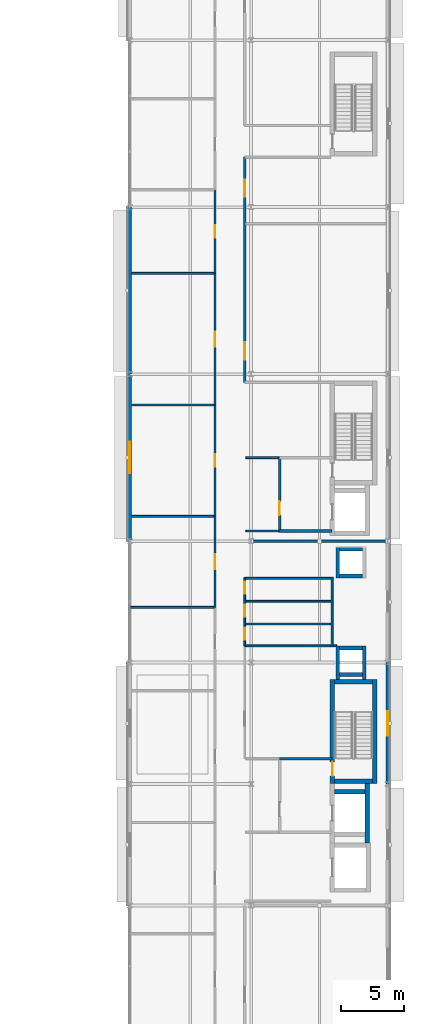
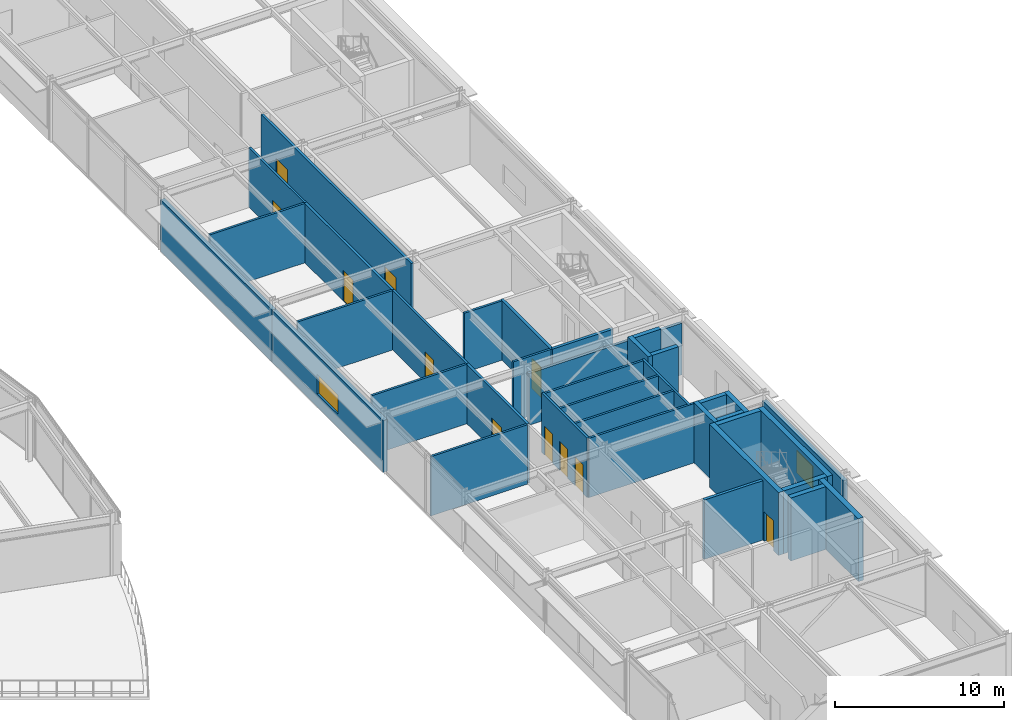
# One storey, part 89 of 116: 37 walls, 11 doors, 2 windows, 13 openings.
"""IFC4 building model written with IfcOpenShell, lengths in metres."""

import ifcopenshell
import ifcopenshell.guid

model = None  # the IFC model being written
_history = None  # IfcOwnerHistory: only IFC2X3 demands one
_inside = {}  # id of a spatial element -> (the spatial element, [elements in it])
_under = {}  # id of a project, library or spatial element -> (it, [spatial elements below it])
_declared = {}  # id of a project -> (the project, [libraries it declares])
_typed = {}  # id of a type object -> (the type object, [elements of that type])
_made_of = {}  # id of a material, layer set ... -> (it, [elements and type objects made of it])


def new_model(schema):
    """Start an empty IFC model of exactly this schema.

    Asked for "IFC4X3", IfcOpenShell would pick the latest addendum, in which some entities
    have other attributes; the version numbers below select the first issue.
    IFC2X3 requires an IfcOwnerHistory on every rooted entity: one is made here for all.
    """
    global model, _history
    if schema == "IFC4X3":
        model = ifcopenshell.file(schema_version=(4, 3, 0, 0))
    else:
        model = ifcopenshell.file(schema=schema)
    _inside.clear()
    _under.clear()
    _declared.clear()
    _typed.clear()
    _made_of.clear()
    _history = None
    if model.schema == "IFC2X3":
        org = make("IfcOrganization", Name="unknown")
        user = make(
            "IfcPersonAndOrganization",
            ThePerson=make("IfcPerson", FamilyName="unknown"),
            TheOrganization=org,
        )
        app = make(
            "IfcApplication",
            ApplicationDeveloper=org,
            Version="unknown",
            ApplicationFullName="unknown",
            ApplicationIdentifier="unknown",
        )
        _history = make(
            "IfcOwnerHistory",
            OwningUser=user,
            OwningApplication=app,
            ChangeAction="ADDED",
            CreationDate=0,
        )
    return model


def make(cls, **values):
    """One entity of the class cls with the attributes given. An attribute that is None is left unset."""
    return model.create_entity(
        cls, **{name: value for name, value in values.items() if value is not None}
    )


def rooted(cls, **values):
    """An entity with a GlobalId (a new one), such as an element, a storey or a relation."""
    return make(cls, GlobalId=ifcopenshell.guid.new(), OwnerHistory=_history, **values)


def si_unit(unit_type, name, prefix=None):
    """IfcSIUnit, for example si_unit("LENGTHUNIT", "METRE", prefix="MILLI")."""
    return make("IfcSIUnit", UnitType=unit_type, Prefix=prefix, Name=name)


def assignment(units):
    """IfcUnitAssignment: the units of a project."""
    return None if units is None else make("IfcUnitAssignment", Units=units)


def point(xyz):
    """IfcCartesianPoint."""
    return None if xyz is None else make("IfcCartesianPoint", Coordinates=xyz)


def direction(xyz):
    """IfcDirection."""
    return None if xyz is None else make("IfcDirection", DirectionRatios=xyz)


def frame(location, z_axis=None, x_axis=None):
    """IfcAxis2Placement3D, a coordinate frame: its origin and axes. An axis left out is left unset."""
    return make(
        "IfcAxis2Placement3D",
        Location=point(location),
        Axis=direction(z_axis),
        RefDirection=direction(x_axis),
    )


def frame_2d(location, x_axis=None):
    """IfcAxis2Placement2D, a coordinate frame in the plane: its origin and x axis."""
    return make(
        "IfcAxis2Placement2D", Location=point(location), RefDirection=direction(x_axis)
    )


def origin():
    """The frame at (0, 0, 0) with its axes left unset."""
    return frame((0.0, 0.0, 0.0))


def place(relative_to, where):
    """IfcLocalPlacement: puts the frame where relative to a parent placement (None: the world)."""
    return make(
        "IfcLocalPlacement", PlacementRelTo=relative_to, RelativePlacement=where
    )


def context(
    kind, dimensions, precision=None, world=None, true_north=None, identifier=None
):
    """IfcGeometricRepresentationContext, for example the 3D "Model" context."""
    return make(
        "IfcGeometricRepresentationContext",
        ContextIdentifier=identifier,
        ContextType=kind,
        CoordinateSpaceDimension=dimensions,
        Precision=precision,
        WorldCoordinateSystem=world,
        TrueNorth=true_north,
    )


def subcontext(parent, identifier, kind, view, scale=None):
    """IfcGeometricRepresentationSubContext, for example "Body" below "Model"."""
    return make(
        "IfcGeometricRepresentationSubContext",
        ContextIdentifier=identifier,
        ContextType=kind,
        ParentContext=parent,
        TargetScale=scale,
        TargetView=view,
    )


def project(units=None, contexts=None):
    """IfcProject with its units and contexts."""
    return rooted(
        "IfcProject",
        Name="project",
        RepresentationContexts=contexts,
        UnitsInContext=assignment(units),
    )


def spatial(cls, under=None, at=None, **own):
    """A site, building, storey or space (cls), placed at a placement, below another one or the project."""
    s = rooted(cls, ObjectPlacement=at, **own)
    if under is not None:
        _under.setdefault(under.id(), (under, []))[1].append(s)
    return s


def profile(cls, at=None, kind="AREA", **sizes):
    """A parametric profile (cls). Its sizes go by their IFC names, for example OverallWidth=200.0."""
    return make(cls, ProfileType=kind, Position=at, **sizes)


def rectangle(**sizes):
    """IfcRectangleProfileDef."""
    return profile("IfcRectangleProfileDef", **sizes)


def extrude(swept, where, along, depth):
    """IfcExtrudedAreaSolid: the profile swept, set in the frame where, extruded along a direction by depth."""
    return make(
        "IfcExtrudedAreaSolid",
        SweptArea=swept,
        Position=where,
        ExtrudedDirection=direction(along),
        Depth=depth,
    )


def shape(context_of_items, identifier, shape_type, items):
    """IfcShapeRepresentation: the items that make up one representation, for example the "Body"."""
    return make(
        "IfcShapeRepresentation",
        ContextOfItems=context_of_items,
        RepresentationIdentifier=identifier,
        RepresentationType=shape_type,
        Items=items,
    )


def material(Name=None, Category=None):
    """IfcMaterial."""
    return make("IfcMaterial", Name=Name, Category=Category)


def layer(
    of_material, thickness, ventilated=None, Name=None, Category=None, Priority=None
):
    """IfcMaterialLayer: one layer of a wall or slab, of a material (None: an air gap)."""
    return make(
        "IfcMaterialLayer",
        Material=of_material,
        LayerThickness=thickness,
        IsVentilated=ventilated,
        Name=Name,
        Category=Category,
        Priority=Priority,
    )


def layer_set(layers, Name=None):
    """IfcMaterialLayerSet."""
    return make("IfcMaterialLayerSet", MaterialLayers=layers, LayerSetName=Name)


def made_of(thing, what):
    """Note that an element or type object is made of a material, layer set ...; save() writes the relation."""
    if what is not None:
        _made_of.setdefault(what.id(), (what, []))[1].append(thing)
    return thing


def type_object(cls, material=None, **own):
    """A type object (cls), such as IfcWallType, which elements share."""
    return made_of(rooted(cls, **own), material)


def element(
    cls,
    number,
    at=None,
    inside=None,
    cuts=None,
    type_object=None,
    material=None,
    context=None,
    identifier="Body",
    shape_type=None,
    held_by="IfcProductDefinitionShape",
    body=None,
    shapes=None,
    **own,
):
    """One element of the class cls, such as IfcWall. Its Tag is "e" and its number.

    at: its placement. inside: the storey or other place that contains it. cuts: it is an
    opening in that element (IfcRelVoidsElement). A single representation is given by context,
    identifier, shape_type and body (its items); several are given by shapes. held_by: the class
    of the entity that holds the representations. save() writes the other relations.
    """
    e = rooted(cls, Tag="e%d" % number, ObjectPlacement=at, **own)
    if body is not None:
        shapes = [shape(context, identifier, shape_type, body)]
    if shapes is not None:
        e.Representation = make(held_by, Representations=shapes)
    if inside is not None:
        _inside.setdefault(inside.id(), (inside, []))[1].append(e)
    if cuts is not None:
        rooted(
            "IfcRelVoidsElement", RelatingBuildingElement=cuts, RelatedOpeningElement=e
        )
    if type_object is not None:
        _typed.setdefault(type_object.id(), (type_object, []))[1].append(e)
    return made_of(e, material)


def fill(opening, filler):
    """IfcRelFillsElement: the door or window that sits in an opening."""
    return rooted(
        "IfcRelFillsElement",
        RelatingOpeningElement=opening,
        RelatedBuildingElement=filler,
    )


def aggregate(whole, parts):
    """IfcRelAggregates: a whole, such as a stair, and the parts it consists of."""
    return rooted("IfcRelAggregates", RelatingObject=whole, RelatedObjects=parts)


def save(model, path):
    """Write the relations noted so far, then the file.

    IfcRelAggregates (storeys below a building ...), IfcRelContainedInSpatialStructure (elements
    in a storey), IfcRelDefinesByType, IfcRelAssociatesMaterial and IfcRelDeclares: one each for
    every whole, place, type object, material and project.
    """
    for whole, parts in _under.values():
        aggregate(whole, parts)
    for where, things in _inside.values():
        rooted(
            "IfcRelContainedInSpatialStructure",
            RelatedElements=things,
            RelatingStructure=where,
        )
    for kind, things in _typed.values():
        rooted("IfcRelDefinesByType", RelatedObjects=things, RelatingType=kind)
    for what, things in _made_of.values():
        rooted("IfcRelAssociatesMaterial", RelatedObjects=things, RelatingMaterial=what)
    for by, libraries in _declared.values():
        rooted("IfcRelDeclares", RelatingContext=by, RelatedDefinitions=libraries)
    model.write(path)


model = new_model("IFC4")

# Units and contexts
model_context = context("Model", 3, precision=1e-05, world=origin(), true_north=direction((0.0, 1.0)))
body_context = subcontext(model_context, "Body", "Model", "MODEL_VIEW")
ifc_project = project(units=[si_unit("LENGTHUNIT", "METRE"), si_unit("AREAUNIT", "SQUARE_METRE"), si_unit("VOLUMEUNIT", "CUBIC_METRE"), si_unit("PLANEANGLEUNIT", "RADIAN"), si_unit("MASSUNIT", "GRAM", prefix="KILO")], contexts=[model_context])

# Site, building, storey
site_placement = place(None, origin())
site = spatial("IfcSite", under=ifc_project, at=site_placement, CompositionType="ELEMENT")
building_placement = place(site_placement, origin())
building = spatial("IfcBuilding", under=site, at=building_placement, Name="Almandine Court Research Institute", CompositionType="ELEMENT")
storey_placement = place(building_placement, frame((0.0, 0.0, 14.35009765625)))
storey = spatial("IfcBuildingStorey", under=building, at=storey_placement, Name="L03", CompositionType="ELEMENT", Elevation=14.35009765625)

# Wall, opening, window
ifc_material_1 = material(Name="Insulated Ochre Terracotta Rainscreen Wall", Category="masonry")
ifc_layer_1 = layer(ifc_material_1, 0.2900390625)
ifc_layer_set_1 = layer_set([ifc_layer_1], Name="Insulated Ochre Terracotta Rainscreen Wall")
wall_type_1 = type_object("IfcWallType", Name="Wall-EXT-TERR-290", PredefinedType="SOLIDWALL", material=ifc_layer_set_1)
wall_1_placement = place(storey_placement, frame((153.60009765625, 44.404052734375, 0.0), z_axis=(0.0, 0.0, 1.0), x_axis=(0.0, 1.0, 0.0)))
wall_1 = element("IfcWall", 1, at=wall_1_placement, inside=storey, type_object=wall_type_1, Name="L03 Wet Lab West Facade Wall 5", PredefinedType="SOLIDWALL", context=body_context, shape_type="SweptSolid", body=[
    extrude(rectangle(XDim=13.19189453125, YDim=0.2900390625, at=frame_2d((6.595947265625, 0.0))), origin(), (0.0, 0.0, 1.0), 3.741943359375),
])
opening_1_placement = place(wall_1_placement, frame((5.35595703125, 0.0, 0.949951171875)))
opening_1 = element("IfcOpeningElement", 2, at=opening_1_placement, cuts=wall_1, Name="Opening WN-79", PredefinedType="OPENING", context=body_context, shape_type="SweptSolid", body=[
    extrude(rectangle(XDim=2.47998046875, YDim=1.39990234375, at=frame_2d((1.239990234375, 0.699951171875))), frame((0.0, 0.155029296875, 0.0), z_axis=(0.0, -1.0, 0.0), x_axis=(1.0, 0.0, 0.0)), (0.0, 0.0, 1.0), 0.31005859375),
])
ifc_material_2 = material(Name="Thermally Broken Low-E Double-Glazed Window", Category="glass")
window_type_1 = type_object("IfcWindowType", Name="Win-WN-79-2480x1400", PartitioningType="SINGLE_PANEL", PredefinedType="WINDOW", material=ifc_material_2)
window_1_placement = place(opening_1_placement, origin())
window_1 = element("IfcWindow", 3, at=window_1_placement, inside=storey, type_object=window_type_1, Name="L03 Modular Recessed Low-E Window 116", OverallHeight=1.39990234375, OverallWidth=2.47998046875, PartitioningType="SINGLE_PANEL", PredefinedType="WINDOW", context=body_context, shape_type="SweptSolid", body=[
    extrude(rectangle(XDim=2.47998046875, YDim=1.39990234375, at=frame_2d((1.239990234375, 0.699951171875))), frame((0.0, 0.030029296875, 0.0), z_axis=(0.0, -1.0, 0.0), x_axis=(1.0, 0.0, 0.0)), (0.0, 0.0, 1.0), 0.06005859375),
])
fill(opening_1, window_1)

# Wall
wall_2_placement = place(storey_placement, frame((153.60009765625, 57.60400390625, 0.0), z_axis=(0.0, 0.0, 1.0), x_axis=(0.0, 1.0, 0.0)))
element("IfcWall", 4, at=wall_2_placement, inside=storey, type_object=wall_type_1, Name="L03 Wet Lab West Facade Wall 6", PredefinedType="SOLIDWALL", context=body_context, shape_type="SweptSolid", body=[
    extrude(rectangle(XDim=13.19189453125, YDim=0.2900390625, at=frame_2d((6.595947265625, 0.0))), origin(), (0.0, 0.0, 1.0), 3.741943359375),
])

# Wall, opening, window
wall_3_placement = place(storey_placement, frame((174.0, 34.7958984375, 0.0), z_axis=(0.0, 0.0, 1.0), x_axis=(0.0, -1.0, 0.0)))
wall_3 = element("IfcWall", 5, at=wall_3_placement, inside=storey, type_object=wall_type_1, Name="L03 Wet Lab East Facade Wall 3", PredefinedType="SOLIDWALL", context=body_context, shape_type="SweptSolid", body=[
    extrude(rectangle(XDim=9.591796875, YDim=0.2900390625, at=frame_2d((4.7958984375, 0.0))), origin(), (0.0, 0.0, 1.0), 3.8837890625),
])
opening_2_placement = place(wall_3_placement, frame((3.8310546875, 0.0, 0.949951171875)))
opening_2 = element("IfcOpeningElement", 6, at=opening_2_placement, cuts=wall_3, Name="Opening WN-63", PredefinedType="OPENING", context=body_context, shape_type="SweptSolid", body=[
    extrude(rectangle(XDim=1.929931640625, YDim=1.639892578125, at=frame_2d((0.96484375, 0.81982421875))), frame((0.0, 0.155029296875, 0.0), z_axis=(0.0, -1.0, 0.0), x_axis=(1.0, 0.0, 0.0)), (0.0, 0.0, 1.0), 0.31005859375),
])
window_type_2 = type_object("IfcWindowType", Name="Win-WN-63-1930x1640", PartitioningType="SINGLE_PANEL", PredefinedType="WINDOW", material=ifc_material_2)
window_2_placement = place(opening_2_placement, origin())
window_2 = element("IfcWindow", 7, at=window_2_placement, inside=storey, type_object=window_type_2, Name="L03 Modular Recessed Low-E Window 125", OverallHeight=1.639892578125, OverallWidth=1.929931640625, PartitioningType="SINGLE_PANEL", PredefinedType="WINDOW", context=body_context, shape_type="SweptSolid", body=[
    extrude(rectangle(XDim=1.929931640625, YDim=1.639892578125, at=frame_2d((0.96484375, 0.81982421875))), frame((0.0, 0.030029296875, 0.0), z_axis=(0.0, -1.0, 0.0), x_axis=(1.0, 0.0, 0.0)), (0.0, 0.0, 1.0), 0.06005859375),
])
fill(opening_2, window_2)

# Wall, opening, door
ifc_material_3 = material(Name="One-Hour Fire-Rated Laboratory Partition")
ifc_layer_2 = layer(ifc_material_3, 0.175048828125)
ifc_layer_set_2 = layer_set([ifc_layer_2], Name="One-Hour Fire-Rated Laboratory Partition")
wall_type_2 = type_object("IfcWallType", Name="Wall-FIRE-175", PredefinedType="PARTITIONING", material=ifc_layer_set_2)
wall_4_placement = place(storey_placement, frame((160.35009765625, 39.159912109375, 0.0), z_axis=(0.0, 0.0, 1.0), x_axis=(0.0, 1.0, 0.0)))
wall_4 = element("IfcWall", 8, at=wall_4_placement, inside=storey, type_object=wall_type_2, Name="L03 Interior Partition W-V4-L03-WW-4", PredefinedType="PARTITIONING", context=body_context, shape_type="SweptSolid", body=[
    extrude(rectangle(XDim=7.2001953125, YDim=0.175048828125, at=frame_2d((3.60009765625, 0.0))), origin(), (0.0, 0.0, 1.0), 4.2998046875),
])
opening_3_placement = place(wall_4_placement, frame((3.0, 0.0, 0.0)))
opening_3 = element("IfcOpeningElement", 9, at=opening_3_placement, cuts=wall_4, Name="Opening FD-LAB", PredefinedType="OPENING", context=body_context, shape_type="SweptSolid", body=[
    extrude(rectangle(XDim=1.199951171875, YDim=2.199951171875, at=frame_2d((0.60009765625, 1.10009765625))), frame((0.0, 0.097412109375, 0.0), z_axis=(0.0, -1.0, 0.0), x_axis=(1.0, 0.0, 0.0)), (0.0, 0.0, 1.0), 0.195068359375),
])
ifc_material_4 = material(Name="Fire-Rated Laboratory Containment Door")
door_type_1 = type_object("IfcDoorType", Name="Door-FD-LAB-1200", OperationType="NOTDEFINED", PredefinedType="DOOR", material=ifc_material_4)
door_1_placement = place(opening_3_placement, origin())
door_1 = element("IfcDoor", 10, at=door_1_placement, inside=storey, type_object=door_type_1, Name="L03 Wet Chemistry Laboratory Door", OperationType="SINGLE_SWING_LEFT", OverallHeight=2.199951171875, OverallWidth=1.199951171875, PredefinedType="DOOR", context=body_context, shape_type="SweptSolid", body=[
    extrude(rectangle(XDim=1.199951171875, YDim=2.199951171875, at=frame_2d((0.60009765625, 1.10009765625))), frame((0.0, 0.02490234375, 0.0), z_axis=(0.0, -1.0, 0.0), x_axis=(1.0, 0.0, 0.0)), (0.0, 0.0, 1.0), 0.050048828125),
])
fill(opening_3, door_1)

wall_5_placement = place(storey_placement, frame((160.35009765625, 55.159912109375, 0.0), z_axis=(0.0, 0.0, 1.0), x_axis=(0.0, 1.0, 0.0)))
wall_5 = element("IfcWall", 11, at=wall_5_placement, inside=storey, type_object=wall_type_2, Name="L03 Interior Partition W-V4-L03-WW-6", PredefinedType="PARTITIONING", context=body_context, shape_type="SweptSolid", body=[
    extrude(rectangle(XDim=10.400146484375, YDim=0.175048828125, at=frame_2d((5.2001953125, 0.0))), origin(), (0.0, 0.0, 1.0), 4.2998046875),
])
opening_4_placement = place(wall_5_placement, frame((4.60009765625, 0.0, 0.0)))
opening_4 = element("IfcOpeningElement", 12, at=opening_4_placement, cuts=wall_5, Name="Opening FD-LAB", PredefinedType="OPENING", context=body_context, shape_type="SweptSolid", body=[
    extrude(rectangle(XDim=1.199951171875, YDim=2.199951171875, at=frame_2d((0.60009765625, 1.10009765625))), frame((0.0, 0.097412109375, 0.0), z_axis=(0.0, -1.0, 0.0), x_axis=(1.0, 0.0, 0.0)), (0.0, 0.0, 1.0), 0.195068359375),
])
door_2_placement = place(opening_4_placement, origin())
door_2 = element("IfcDoor", 13, at=door_2_placement, inside=storey, type_object=door_type_1, Name="L03 Biosciences BSL-2 Laboratory Door", OperationType="SINGLE_SWING_LEFT", OverallHeight=2.199951171875, OverallWidth=1.199951171875, PredefinedType="DOOR", context=body_context, shape_type="SweptSolid", body=[
    extrude(rectangle(XDim=1.199951171875, YDim=2.199951171875, at=frame_2d((0.60009765625, 1.10009765625))), frame((0.0, 0.02490234375, 0.0), z_axis=(0.0, -1.0, 0.0), x_axis=(1.0, 0.0, 0.0)), (0.0, 0.0, 1.0), 0.050048828125),
])
fill(opening_4, door_2)

# Wall, openings, doors
wall_6_placement = place(storey_placement, frame((162.699951171875, 56.949951171875, 0.0), z_axis=(0.0, 0.0, 1.0), x_axis=(0.0, 1.0, 0.0)))
wall_6 = element("IfcWall", 14, at=wall_6_placement, inside=storey, type_object=wall_type_2, Name="L03 Interior Partition W-V4-L03-EW-N1", PredefinedType="PARTITIONING", context=body_context, shape_type="SweptSolid", body=[
    extrude(rectangle(XDim=17.800048828125, YDim=0.175048828125, at=frame_2d((8.89990234375, 0.0))), origin(), (0.0, 0.0, 1.0), 4.2998046875),
])
opening_5_placement = place(wall_6_placement, frame((1.800048828125, 0.0, 0.0)))
opening_5 = element("IfcOpeningElement", 15, at=opening_5_placement, cuts=wall_6, Name="Opening FD-LB2", PredefinedType="OPENING", context=body_context, shape_type="SweptSolid", body=[
    extrude(rectangle(XDim=1.35009765625, YDim=2.199951171875, at=frame_2d((0.675048828125, 1.10009765625))), frame((0.0, 0.097412109375, 0.0), z_axis=(0.0, -1.0, 0.0), x_axis=(1.0, 0.0, 0.0)), (0.0, 0.0, 1.0), 0.195068359375),
])
opening_6_placement = place(wall_6_placement, frame((14.64990234375, 0.0, 0.0)))
opening_6 = element("IfcOpeningElement", 16, at=opening_6_placement, cuts=wall_6, Name="Opening FD-LB2", PredefinedType="OPENING", context=body_context, shape_type="SweptSolid", body=[
    extrude(rectangle(XDim=1.35009765625, YDim=2.199951171875, at=frame_2d((0.675048828125, 1.10009765625))), frame((0.0, 0.097412109375, 0.0), z_axis=(0.0, -1.0, 0.0), x_axis=(1.0, 0.0, 0.0)), (0.0, 0.0, 1.0), 0.195068359375),
])
ifc_material_5 = material(Name="Wide Fire-Rated Cleanroom and Lab Door")
door_type_2 = type_object("IfcDoorType", Name="Door-FD-LAB-1350", OperationType="NOTDEFINED", PredefinedType="DOOR", material=ifc_material_5)
door_3_placement = place(opening_5_placement, origin())
door_3 = element("IfcDoor", 17, at=door_3_placement, inside=storey, type_object=door_type_2, Name="L03 East Wet Chemistry Lab Door", OperationType="SINGLE_SWING_RIGHT", OverallHeight=2.199951171875, OverallWidth=1.35009765625, PredefinedType="DOOR", context=body_context, shape_type="SweptSolid", body=[
    extrude(rectangle(XDim=1.35009765625, YDim=2.199951171875, at=frame_2d((0.675048828125, 1.10009765625))), frame((0.0, 0.02490234375, 0.0), z_axis=(0.0, -1.0, 0.0), x_axis=(1.0, 0.0, 0.0)), (0.0, 0.0, 1.0), 0.050048828125),
])
fill(opening_5, door_3)
door_4_placement = place(opening_6_placement, origin())
door_4 = element("IfcDoor", 18, at=door_4_placement, inside=storey, type_object=door_type_2, Name="L03 East BSL-2 Lab South Door", OperationType="SINGLE_SWING_LEFT", OverallHeight=2.199951171875, OverallWidth=1.35009765625, PredefinedType="DOOR", context=body_context, shape_type="SweptSolid", body=[
    extrude(rectangle(XDim=1.35009765625, YDim=2.199951171875, at=frame_2d((0.675048828125, 1.10009765625))), frame((0.0, 0.02490234375, 0.0), z_axis=(0.0, -1.0, 0.0), x_axis=(1.0, 0.0, 0.0)), (0.0, 0.0, 1.0), 0.050048828125),
])
fill(opening_6, door_4)

# Walls
ifc_material_6 = material(Name="Two-Hour Fire-Barrier Enclosure Wall")
ifc_layer_3 = layer(ifc_material_6, 0.199951171875)
ifc_layer_set_3 = layer_set([ifc_layer_3], Name="Two-Hour Fire-Barrier Enclosure Wall")
wall_type_3 = type_object("IfcWallType", Name="Wall-FIRE-200", PredefinedType="SOLIDWALL", material=ifc_layer_set_3)
wall_7_placement = place(storey_placement, frame((163.360107421875, 44.39990234375, 0.0), z_axis=(0.0, 0.0, 1.0), x_axis=(1.0, 0.0, 0.0)))
element("IfcWall", 19, at=wall_7_placement, inside=storey, type_object=wall_type_3, Name="L03 Interior Partition W-BF-V4-BF2-L03", PredefinedType="SOLIDWALL", context=body_context, shape_type="SweptSolid", body=[
    extrude(rectangle(XDim=10.47998046875, YDim=0.199951171875, at=frame_2d((5.239990234375, 0.0))), origin(), (0.0, 0.0, 1.0), 3.73779296875),
])
wall_8_placement = place(storey_placement, frame((165.449951171875, 27.199951171875, 0.0), z_axis=(0.0, 0.0, 1.0), x_axis=(1.0, 0.0, 0.0)))
element("IfcWall", 20, at=wall_8_placement, inside=storey, type_object=wall_type_3, Name="L03 Interior Partition W-FFL1-L03-N", PredefinedType="SOLIDWALL", context=body_context, shape_type="SweptSolid", body=[
    extrude(rectangle(XDim=4.150146484375, YDim=0.199951171875, at=frame_2d((2.0751953125, 0.0))), origin(), (0.0, 0.0, 1.0), 4.2998046875),
])

# Wall, opening, door
wall_9_placement = place(storey_placement, frame((165.449951171875, 45.10009765625, 0.0), z_axis=(0.0, 0.0, 1.0), x_axis=(0.0, 1.0, 0.0)))
wall_9 = element("IfcWall", 21, at=wall_9_placement, inside=storey, type_object=wall_type_3, Name="L03 Interior Partition W-FFL2-L03-W", PredefinedType="SOLIDWALL", context=body_context, shape_type="SweptSolid", body=[
    extrude(rectangle(XDim=6.0, YDim=0.199951171875, at=frame_2d((3.0, 0.0))), origin(), (0.0, 0.0, 1.0), 4.2998046875),
])
opening_7_placement = place(wall_9_placement, frame((1.35009765625, 0.0, 0.0)))
opening_7 = element("IfcOpeningElement", 22, at=opening_7_placement, cuts=wall_9, Name="Opening FD-FFL", PredefinedType="OPENING", context=body_context, shape_type="SweptSolid", body=[
    extrude(rectangle(XDim=1.10009765625, YDim=2.14990234375, at=frame_2d((0.550048828125, 1.074951171875))), frame((0.0, 0.10986328125, 0.0), z_axis=(0.0, -1.0, 0.0), x_axis=(1.0, 0.0, 0.0)), (0.0, 0.0, 1.0), 0.219970703125),
])
ifc_material_7 = material(Name="Smoke-Tight Firefighting Lobby Fire Door")
door_type_3 = type_object("IfcDoorType", Name="Door-FD-FFL-1100", OperationType="NOTDEFINED", PredefinedType="DOOR", material=ifc_material_7)
door_5_placement = place(opening_7_placement, origin())
door_5 = element("IfcDoor", 23, at=door_5_placement, inside=storey, type_object=door_type_3, Name="L03 Firefighting Lobby Fire Door 2", OperationType="SINGLE_SWING_LEFT", OverallHeight=2.14990234375, OverallWidth=1.10009765625, PredefinedType="DOOR", context=body_context, shape_type="SweptSolid", body=[
    extrude(rectangle(XDim=1.10009765625, YDim=2.14990234375, at=frame_2d((0.550048828125, 1.074951171875))), frame((0.0, 0.02490234375, 0.0), z_axis=(0.0, -1.0, 0.0), x_axis=(1.0, 0.0, 0.0)), (0.0, 0.0, 1.0), 0.050048828125),
])
fill(opening_7, door_5)

# Walls
wall_10_placement = place(storey_placement, frame((165.449951171875, 45.199951171875, 0.0), z_axis=(0.0, 0.0, 1.0), x_axis=(1.0, 0.0, 0.0)))
element("IfcWall", 24, at=wall_10_placement, inside=storey, type_object=wall_type_3, Name="L03 Interior Partition W-FFL2-L03-S", PredefinedType="SOLIDWALL", context=body_context, shape_type="SweptSolid", body=[
    extrude(rectangle(XDim=4.150146484375, YDim=0.199951171875, at=frame_2d((2.0751953125, 0.0))), origin(), (0.0, 0.0, 1.0), 4.2998046875),
])
ifc_material_8 = material(Name="Acoustic Steel-Stud Gypsum Partition Wall", Category="steel")
ifc_layer_4 = layer(ifc_material_8, 0.14990234375)
ifc_layer_set_4 = layer_set([ifc_layer_4], Name="Acoustic Steel-Stud Gypsum Partition Wall")
wall_type_4 = type_object("IfcWallType", Name="Wall-PART-150", PredefinedType="PARTITIONING", material=ifc_layer_set_4)
for number, where, z_axis, x_axis, name in (
    (25, (162.699951171875, 37.85009765625, 0.0), (0.0, 0.0, 1.0), (1.0, 0.0, 0.0), "L03 Interior Partition W-V4-L03-WCH-1"),
    (26, (162.699951171875, 39.64990234375, 0.0), (0.0, 0.0, 1.0), (1.0, 0.0, 0.0), "L03 Interior Partition W-V4-L03-WCH-2"),
    (27, (162.699951171875, 41.449951171875, 0.0), (0.0, 0.0, 1.0), (1.0, 0.0, 0.0), "L03 Interior Partition W-V4-L03-WCH-3"),
):
    element("IfcWall", number, at=place(storey_placement, frame(where, z_axis=z_axis, x_axis=x_axis)), inside=storey, type_object=wall_type_4, Name=name, PredefinedType="PARTITIONING", context=body_context, shape_type="SweptSolid", body=[
        extrude(rectangle(XDim=6.900146484375, YDim=0.14990234375, at=frame_2d((3.4501953125, 0.0))), origin(), (0.0, 0.0, 1.0), 4.2998046875),
    ])
wall_11_placement = place(storey_placement, frame((162.699951171875, 36.1201171875, 0.0), z_axis=(0.0, 0.0, 1.0), x_axis=(1.0, 0.0, 0.0)))
element("IfcWall", 28, at=wall_11_placement, inside=storey, type_object=wall_type_4, Name="L03 Interior Partition W-V4-L03-WCS", PredefinedType="PARTITIONING", context=body_context, shape_type="SweptSolid", body=[
    extrude(rectangle(XDim=7.25, YDim=0.14990234375, at=frame_2d((3.625, 0.0))), origin(), (0.0, 0.0, 1.0), 4.2998046875),
])
wall_12_placement = place(storey_placement, frame((169.60009765625, 36.050048828125, 0.0), z_axis=(0.0, 0.0, 1.0), x_axis=(0.0, 1.0, 0.0)))
element("IfcWall", 29, at=wall_12_placement, inside=storey, type_object=wall_type_4, Name="L03 Interior Partition W-V4-L03-WCEAST", PredefinedType="PARTITIONING", context=body_context, shape_type="SweptSolid", body=[
    extrude(rectangle(XDim=5.5, YDim=0.14990234375, at=frame_2d((2.75, 0.0))), origin(), (0.0, 0.0, 1.0), 4.2998046875),
])

# Wall, openings, doors
wall_13_placement = place(storey_placement, frame((162.699951171875, 36.1201171875, 0.0), z_axis=(0.0, 0.0, 1.0), x_axis=(0.0, 1.0, 0.0)))
wall_13 = element("IfcWall", 30, at=wall_13_placement, inside=storey, type_object=wall_type_4, Name="L03 Interior Partition W-V4-L03-WC-ALL", PredefinedType="PARTITIONING", context=body_context, shape_type="SweptSolid", body=[
    extrude(rectangle(XDim=5.39990234375, YDim=0.14990234375, at=frame_2d((2.699951171875, 0.0))), origin(), (0.0, 0.0, 1.0), 4.2998046875),
])
opening_8_placement = place(wall_13_placement, frame((0.47998046875, 0.0, 0.0)))
opening_8 = element("IfcOpeningElement", 31, at=opening_8_placement, cuts=wall_13, Name="Opening D-01", PredefinedType="OPENING", context=body_context, shape_type="SweptSolid", body=[
    extrude(rectangle(XDim=0.949951171875, YDim=2.10009765625, at=frame_2d((0.47509765625, 1.050048828125))), frame((0.0, 0.0849609375, 0.0), z_axis=(0.0, -1.0, 0.0), x_axis=(1.0, 0.0, 0.0)), (0.0, 0.0, 1.0), 0.169921875),
])
opening_9_placement = place(wall_13_placement, frame((2.300048828125, 0.0, 0.0)))
opening_9 = element("IfcOpeningElement", 32, at=opening_9_placement, cuts=wall_13, Name="Opening D-01", PredefinedType="OPENING", context=body_context, shape_type="SweptSolid", body=[
    extrude(rectangle(XDim=0.949951171875, YDim=2.10009765625, at=frame_2d((0.47509765625, 1.050048828125))), frame((0.0, 0.0849609375, 0.0), z_axis=(0.0, -1.0, 0.0), x_axis=(1.0, 0.0, 0.0)), (0.0, 0.0, 1.0), 0.169921875),
])
opening_10_placement = place(wall_13_placement, frame((4.10009765625, 0.0, 0.0)))
opening_10 = element("IfcOpeningElement", 33, at=opening_10_placement, cuts=wall_13, Name="Opening D-01", PredefinedType="OPENING", context=body_context, shape_type="SweptSolid", body=[
    extrude(rectangle(XDim=0.949951171875, YDim=2.10009765625, at=frame_2d((0.47509765625, 1.050048828125))), frame((0.0, 0.0849609375, 0.0), z_axis=(0.0, -1.0, 0.0), x_axis=(1.0, 0.0, 0.0)), (0.0, 0.0, 1.0), 0.169921875),
])
ifc_material_9 = material(Name="Solid-Core Timber Acoustic Room Door", Category="wood")
door_type_4 = type_object("IfcDoorType", Name="Door-INT-950", OperationType="NOTDEFINED", PredefinedType="DOOR", material=ifc_material_9)
door_6_placement = place(opening_8_placement, origin())
door_6 = element("IfcDoor", 34, at=door_6_placement, inside=storey, type_object=door_type_4, Name="L03 V4 Male Toilet Door", OperationType="SINGLE_SWING_RIGHT", OverallHeight=2.10009765625, OverallWidth=0.949951171875, PredefinedType="DOOR", context=body_context, shape_type="SweptSolid", body=[
    extrude(rectangle(XDim=0.949951171875, YDim=2.10009765625, at=frame_2d((0.47509765625, 1.050048828125))), frame((0.0, 0.02490234375, 0.0), z_axis=(0.0, -1.0, 0.0), x_axis=(1.0, 0.0, 0.0)), (0.0, 0.0, 1.0), 0.050048828125),
])
fill(opening_8, door_6)
door_7_placement = place(opening_9_placement, origin())
door_7 = element("IfcDoor", 35, at=door_7_placement, inside=storey, type_object=door_type_4, Name="L03 V4 Female Toilet Door", OperationType="SINGLE_SWING_LEFT", OverallHeight=2.10009765625, OverallWidth=0.949951171875, PredefinedType="DOOR", context=body_context, shape_type="SweptSolid", body=[
    extrude(rectangle(XDim=0.949951171875, YDim=2.10009765625, at=frame_2d((0.47509765625, 1.050048828125))), frame((0.0, 0.02490234375, 0.0), z_axis=(0.0, -1.0, 0.0), x_axis=(1.0, 0.0, 0.0)), (0.0, 0.0, 1.0), 0.050048828125),
])
fill(opening_9, door_7)
door_8_placement = place(opening_10_placement, origin())
door_8 = element("IfcDoor", 36, at=door_8_placement, inside=storey, type_object=door_type_4, Name="L03 V4 Accessible WC Door", OperationType="SINGLE_SWING_RIGHT", OverallHeight=2.10009765625, OverallWidth=0.949951171875, PredefinedType="DOOR", context=body_context, shape_type="SweptSolid", body=[
    extrude(rectangle(XDim=0.949951171875, YDim=2.10009765625, at=frame_2d((0.47509765625, 1.050048828125))), frame((0.0, 0.02490234375, 0.0), z_axis=(0.0, -1.0, 0.0), x_axis=(1.0, 0.0, 0.0)), (0.0, 0.0, 1.0), 0.050048828125),
])
fill(opening_10, door_8)

# Walls
wall_14_placement = place(storey_placement, frame((153.659912109375, 39.159912109375, 0.0), z_axis=(0.0, 0.0, 1.0), x_axis=(1.0, 0.0, 0.0)))
element("IfcWall", 37, at=wall_14_placement, inside=storey, type_object=wall_type_4, Name="L03 Interior Partition W-V4-L03-WDIV-3", PredefinedType="PARTITIONING", context=body_context, shape_type="SweptSolid", body=[
    extrude(rectangle(XDim=6.610107421875, YDim=0.14990234375, at=frame_2d((3.30517578125, 0.0))), origin(), (0.0, 0.0, 1.0), 4.2998046875),
])
wall_15_placement = place(storey_placement, frame((153.760009765625, 46.360107421875, 0.0), z_axis=(0.0, 0.0, 1.0), x_axis=(1.0, 0.0, 0.0)))
element("IfcWall", 38, at=wall_15_placement, inside=storey, type_object=wall_type_4, Name="L03 Interior Partition W-V4-L03-WDIV-4", PredefinedType="PARTITIONING", context=body_context, shape_type="SweptSolid", body=[
    extrude(rectangle(XDim=6.510009765625, YDim=0.14990234375, at=frame_2d((3.2548828125, 0.0))), origin(), (0.0, 0.0, 1.0), 4.2998046875),
])

# Wall, opening, door
wall_16_placement = place(storey_placement, frame((160.35009765625, 46.360107421875, 0.0), z_axis=(0.0, 0.0, 1.0), x_axis=(0.0, 1.0, 0.0)))
wall_16 = element("IfcWall", 39, at=wall_16_placement, inside=storey, type_object=wall_type_4, Name="L03 Interior Partition W-V4-L03-WW-5", PredefinedType="PARTITIONING", context=body_context, shape_type="SweptSolid", body=[
    extrude(rectangle(XDim=8.7998046875, YDim=0.14990234375, at=frame_2d((4.39990234375, 0.0))), origin(), (0.0, 0.0, 1.0), 4.2998046875),
])
opening_11_placement = place(wall_16_placement, frame((3.89990234375, 0.0, 0.0)))
opening_11 = element("IfcOpeningElement", 40, at=opening_11_placement, cuts=wall_16, Name="Opening D-02", PredefinedType="OPENING", context=body_context, shape_type="SweptSolid", body=[
    extrude(rectangle(XDim=1.0, YDim=2.199951171875, at=frame_2d((0.5, 1.10009765625))), frame((0.0, 0.0849609375, 0.0), z_axis=(0.0, -1.0, 0.0), x_axis=(1.0, 0.0, 0.0)), (0.0, 0.0, 1.0), 0.169921875),
])
ifc_material_10 = material(Name="Solid-Core Timber Researcher Office Door", Category="wood")
door_type_5 = type_object("IfcDoorType", Name="Door-INT-1000", OperationType="NOTDEFINED", PredefinedType="DOOR", material=ifc_material_10)
door_9_placement = place(opening_11_placement, origin())
door_9 = element("IfcDoor", 41, at=door_9_placement, inside=storey, type_object=door_type_5, Name="L03 Faculty Study Door", OperationType="SINGLE_SWING_RIGHT", OverallHeight=2.199951171875, OverallWidth=1.0, PredefinedType="DOOR", context=body_context, shape_type="SweptSolid", body=[
    extrude(rectangle(XDim=1.0, YDim=2.199951171875, at=frame_2d((0.5, 1.10009765625))), frame((0.0, 0.02490234375, 0.0), z_axis=(0.0, -1.0, 0.0), x_axis=(1.0, 0.0, 0.0)), (0.0, 0.0, 1.0), 0.050048828125),
])
fill(opening_11, door_9)

# Walls
for number, where, z_axis, x_axis, name in (
    (42, (153.760009765625, 55.159912109375, 0.0), (0.0, 0.0, 1.0), (1.0, 0.0, 0.0), "L03 Interior Partition W-V4-L03-WDIV-5"),
    (43, (153.760009765625, 65.56005859375, 0.0), (0.0, 0.0, 1.0), (1.0, 0.0, 0.0), "L03 Interior Partition W-V4-L03-WDIV-6"),
):
    element("IfcWall", number, at=place(storey_placement, frame(where, z_axis=z_axis, x_axis=x_axis)), inside=storey, type_object=wall_type_4, Name=name, PredefinedType="PARTITIONING", context=body_context, shape_type="SweptSolid", body=[
        extrude(rectangle(XDim=6.510009765625, YDim=0.14990234375, at=frame_2d((3.2548828125, 0.0))), origin(), (0.0, 0.0, 1.0), 4.2998046875),
    ])

# Wall, opening, door
wall_17_placement = place(storey_placement, frame((160.35009765625, 65.56005859375, 0.0), z_axis=(0.0, 0.0, 1.0), x_axis=(0.0, 1.0, 0.0)))
wall_17 = element("IfcWall", 44, at=wall_17_placement, inside=storey, type_object=wall_type_4, Name="L03 Interior Partition W-V4-L03-WW-7", PredefinedType="PARTITIONING", context=body_context, shape_type="SweptSolid", body=[
    extrude(rectangle(XDim=6.599853515625, YDim=0.14990234375, at=frame_2d((3.2998046875, 0.0))), origin(), (0.0, 0.0, 1.0), 4.2998046875),
])
opening_12_placement = place(wall_17_placement, frame((2.800048828125, 0.0, 0.0)))
opening_12 = element("IfcOpeningElement", 45, at=opening_12_placement, cuts=wall_17, Name="Opening D-02", PredefinedType="OPENING", context=body_context, shape_type="SweptSolid", body=[
    extrude(rectangle(XDim=1.0, YDim=2.199951171875, at=frame_2d((0.5, 1.10009765625))), frame((0.0, 0.0849609375, 0.0), z_axis=(0.0, -1.0, 0.0), x_axis=(1.0, 0.0, 0.0)), (0.0, 0.0, 1.0), 0.169921875),
])
door_10_placement = place(opening_12_placement, origin())
door_10 = element("IfcDoor", 46, at=door_10_placement, inside=storey, type_object=door_type_5, Name="L03 Seminar Room Door", OperationType="SINGLE_SWING_RIGHT", OverallHeight=2.199951171875, OverallWidth=1.0, PredefinedType="DOOR", context=body_context, shape_type="SweptSolid", body=[
    extrude(rectangle(XDim=1.0, YDim=2.199951171875, at=frame_2d((0.5, 1.10009765625))), frame((0.0, 0.02490234375, 0.0), z_axis=(0.0, -1.0, 0.0), x_axis=(1.0, 0.0, 0.0)), (0.0, 0.0, 1.0), 0.050048828125),
])
fill(opening_12, door_10)

# Walls
for number, where, z_axis, x_axis, name in (
    (47, (162.780029296875, 45.199951171875, 0.0), (0.0, 0.0, 1.0), (1.0, 0.0, 0.0), "L03 Interior Partition W-V4-L03-FFL2-CS"),
    (48, (162.780029296875, 51.0, 0.0), (0.0, 0.0, 1.0), (1.0, 0.0, 0.0), "L03 Interior Partition W-V4-L03-FFL2-CN"),
):
    element("IfcWall", number, at=place(storey_placement, frame(where, z_axis=z_axis, x_axis=x_axis)), inside=storey, type_object=wall_type_4, Name=name, PredefinedType="PARTITIONING", context=body_context, shape_type="SweptSolid", body=[
        extrude(rectangle(XDim=2.570068359375, YDim=0.14990234375, at=frame_2d((1.28515625, 0.0))), origin(), (0.0, 0.0, 1.0), 4.2998046875),
    ])
ifc_material_11 = material(Name="Concrete C40/50", Category="concrete")
ifc_layer_5 = layer(ifc_material_11, 0.300048828125)
ifc_layer_set_5 = layer_set([ifc_layer_5], Name="Concrete C40/50")
wall_type_5 = type_object("IfcWallType", Name="Wall-SW-CORE-300", PredefinedType="SHEAR", material=ifc_layer_set_5)
wall_18_placement = place(storey_placement, frame((170.050048828125, 33.449951171875, 0.0), z_axis=(0.0, 0.0, 1.0), x_axis=(0.0, 1.0, 0.0)))
element("IfcWall", 49, at=wall_18_placement, inside=storey, type_object=wall_type_5, Name="L03 MEP Riser RS-V4A W Shear Wall", PredefinedType="SHEAR", context=body_context, shape_type="SweptSolid", body=[
    extrude(rectangle(XDim=2.650146484375, YDim=0.300048828125, at=frame_2d((1.3251953125, 0.0))), origin(), (0.0, 0.0, 1.0), 4.369873046875),
])
wall_19_placement = place(storey_placement, frame((170.199951171875, 35.949951171875, 0.0), z_axis=(0.0, 0.0, 1.0), x_axis=(1.0, 0.0, 0.0)))
element("IfcWall", 50, at=wall_19_placement, inside=storey, type_object=wall_type_5, Name="L03 MEP Riser RS-V4A N Shear Wall", PredefinedType="SHEAR", context=body_context, shape_type="SweptSolid", body=[
    extrude(rectangle(XDim=1.800048828125, YDim=0.300048828125, at=frame_2d((0.89990234375, 0.0))), origin(), (0.0, 0.0, 1.0), 4.369873046875),
])
wall_20_placement = place(storey_placement, frame((172.14990234375, 36.10009765625, 0.0), z_axis=(0.0, 0.0, 1.0), x_axis=(0.0, -1.0, 0.0)))
element("IfcWall", 51, at=wall_20_placement, inside=storey, type_object=wall_type_5, Name="L03 MEP Riser RS-V4A E Shear Wall", PredefinedType="SHEAR", context=body_context, shape_type="SweptSolid", body=[
    extrude(rectangle(XDim=2.650146484375, YDim=0.300048828125, at=frame_2d((1.3251953125, 0.0))), origin(), (0.0, 0.0, 1.0), 4.369873046875),
])
wall_21_placement = place(storey_placement, frame((172.0, 33.85009765625, 0.0), z_axis=(0.0, 0.0, 1.0), x_axis=(-1.0, 0.0, 0.0)))
element("IfcWall", 52, at=wall_21_placement, inside=storey, type_object=wall_type_5, Name="L03 MEP Riser RS-V4A S Shear Wall", PredefinedType="SHEAR", context=body_context, shape_type="SweptSolid", body=[
    extrude(rectangle(XDim=1.800048828125, YDim=0.300048828125, at=frame_2d((0.89990234375, 0.0))), origin(), (0.0, 0.0, 1.0), 4.369873046875),
])
wall_22_placement = place(storey_placement, frame((170.050048828125, 41.5, 0.0), z_axis=(0.0, 0.0, 1.0), x_axis=(0.0, 1.0, 0.0)))
element("IfcWall", 53, at=wall_22_placement, inside=storey, type_object=wall_type_5, Name="L03 MEP Riser RS-V4B W Shear Wall", PredefinedType="SHEAR", context=body_context, shape_type="SweptSolid", body=[
    extrude(rectangle(XDim=2.39990234375, YDim=0.300048828125, at=frame_2d((1.199951171875, 0.0))), origin(), (0.0, 0.0, 1.0), 4.369873046875),
])
for number, where, z_axis, x_axis, name in (
    (54, (170.199951171875, 43.75, 0.0), (0.0, 0.0, 1.0), (1.0, 0.0, 0.0), "L03 MEP Riser RS-V4B N Shear Wall"),
    (55, (172.0, 41.64990234375, 0.0), (0.0, 0.0, 1.0), (-1.0, 0.0, 0.0), "L03 MEP Riser RS-V4B S Shear Wall"),
):
    element("IfcWall", number, at=place(storey_placement, frame(where, z_axis=z_axis, x_axis=x_axis)), inside=storey, type_object=wall_type_5, Name=name, PredefinedType="SHEAR", context=body_context, shape_type="SweptSolid", body=[
        extrude(rectangle(XDim=1.800048828125, YDim=0.300048828125, at=frame_2d((0.89990234375, 0.0))), origin(), (0.0, 0.0, 1.0), 4.369873046875),
    ])

# Wall, opening, door
ifc_layer_6 = layer(ifc_material_11, 0.35009765625)
ifc_layer_set_6 = layer_set([ifc_layer_6], Name="Concrete C40/50")
wall_type_6 = type_object("IfcWallType", Name="Wall-SW-CORE-350", PredefinedType="SHEAR", material=ifc_layer_set_6)
wall_23_placement = place(storey_placement, frame((169.625, 25.25, 0.0), z_axis=(0.0, 0.0, 1.0), x_axis=(0.0, 1.0, 0.0)))
wall_23 = element("IfcWall", 56, at=wall_23_placement, inside=storey, type_object=wall_type_6, Name="L03 ST-07 W Shear Wall", PredefinedType="SHEAR", context=body_context, shape_type="SweptSolid", body=[
    extrude(rectangle(XDim=8.199951171875, YDim=0.35009765625, at=frame_2d((4.10009765625, 0.0))), origin(), (0.0, 0.0, 1.0), 4.5498046875),
])
opening_13_placement = place(wall_23_placement, frame((0.60009765625, 0.0, 0.0)))
opening_13 = element("IfcOpeningElement", 57, at=opening_13_placement, cuts=wall_23, Name="Opening FD-STAIR", PredefinedType="OPENING", context=body_context, shape_type="SweptSolid", body=[
    extrude(rectangle(XDim=1.10009765625, YDim=2.14990234375, at=frame_2d((0.550048828125, 1.074951171875))), frame((0.0, 0.18505859375, 0.0), z_axis=(0.0, -1.0, 0.0), x_axis=(1.0, 0.0, 0.0)), (0.0, 0.0, 1.0), 0.3701171875),
])
ifc_material_12 = material(Name="Self-Closing Steel Exit Stair Fire Door", Category="steel")
door_type_6 = type_object("IfcDoorType", Name="Door-FD-STAIR-1100", OperationType="NOTDEFINED", PredefinedType="DOOR", material=ifc_material_12)
door_11_placement = place(opening_13_placement, origin())
door_11 = element("IfcDoor", 58, at=door_11_placement, inside=storey, type_object=door_type_6, Name="L03 Exit Stair ST-07 Fire Door", OperationType="SINGLE_SWING_RIGHT", OverallHeight=2.14990234375, OverallWidth=1.10009765625, PredefinedType="DOOR", context=body_context, shape_type="SweptSolid", body=[
    extrude(rectangle(XDim=1.10009765625, YDim=2.14990234375, at=frame_2d((0.550048828125, 1.074951171875))), frame((0.0, 0.02490234375, 0.0), z_axis=(0.0, -1.0, 0.0), x_axis=(1.0, 0.0, 0.0)), (0.0, 0.0, 1.0), 0.050048828125),
])
fill(opening_13, door_11)

# Walls
wall_24_placement = place(storey_placement, frame((169.800048828125, 33.27490234375, 0.0), z_axis=(0.0, 0.0, 1.0), x_axis=(1.0, 0.0, 0.0)))
element("IfcWall", 59, at=wall_24_placement, inside=storey, type_object=wall_type_6, Name="L03 ST-07 N Shear Wall", PredefinedType="SHEAR", context=body_context, shape_type="SweptSolid", body=[
    extrude(rectangle(XDim=3.0, YDim=0.35009765625, at=frame_2d((1.5, 0.0))), origin(), (0.0, 0.0, 1.0), 4.5498046875),
])
wall_25_placement = place(storey_placement, frame((172.97509765625, 33.449951171875, 0.0), z_axis=(0.0, 0.0, 1.0), x_axis=(0.0, -1.0, 0.0)))
element("IfcWall", 60, at=wall_25_placement, inside=storey, type_object=wall_type_6, Name="L03 ST-07 E Shear Wall", PredefinedType="SHEAR", context=body_context, shape_type="SweptSolid", body=[
    extrude(rectangle(XDim=8.199951171875, YDim=0.35009765625, at=frame_2d((4.10009765625, 0.0))), origin(), (0.0, 0.0, 1.0), 4.5498046875),
])
wall_26_placement = place(storey_placement, frame((172.800048828125, 25.425048828125, 0.0), z_axis=(0.0, 0.0, 1.0), x_axis=(-1.0, 0.0, 0.0)))
element("IfcWall", 61, at=wall_26_placement, inside=storey, type_object=wall_type_6, Name="L03 ST-07 S Shear Wall", PredefinedType="SHEAR", context=body_context, shape_type="SweptSolid", body=[
    extrude(rectangle(XDim=3.0, YDim=0.35009765625, at=frame_2d((1.5, 0.0))), origin(), (0.0, 0.0, 1.0), 4.5498046875),
])
wall_27_placement = place(storey_placement, frame((169.800048828125, 24.574951171875, 0.0), z_axis=(0.0, 0.0, 1.0), x_axis=(1.0, 0.0, 0.0)))
element("IfcWall", 62, at=wall_27_placement, inside=storey, type_object=wall_type_6, Name="L03 FL-01 Hoistway N Shear Wall", PredefinedType="SHEAR", context=body_context, shape_type="SweptSolid", body=[
    extrude(rectangle(XDim=2.39990234375, YDim=0.35009765625, at=frame_2d((1.199951171875, 0.0))), origin(), (0.0, 0.0, 1.0), 4.5498046875),
])
wall_28_placement = place(storey_placement, frame((172.375, 25.25, 0.0), z_axis=(0.0, 0.0, 1.0), x_axis=(0.0, -1.0, 0.0)))
element("IfcWall", 63, at=wall_28_placement, inside=storey, type_object=wall_type_6, Name="L03 FL-01 Hoistway E Shear Wall", PredefinedType="SHEAR", context=body_context, shape_type="SweptSolid", body=[
    extrude(rectangle(XDim=4.699951171875, YDim=0.35009765625, at=frame_2d((2.35009765625, 0.0))), origin(), (0.0, 0.0, 1.0), 4.5498046875),
])

save(model, "model.ifc")
